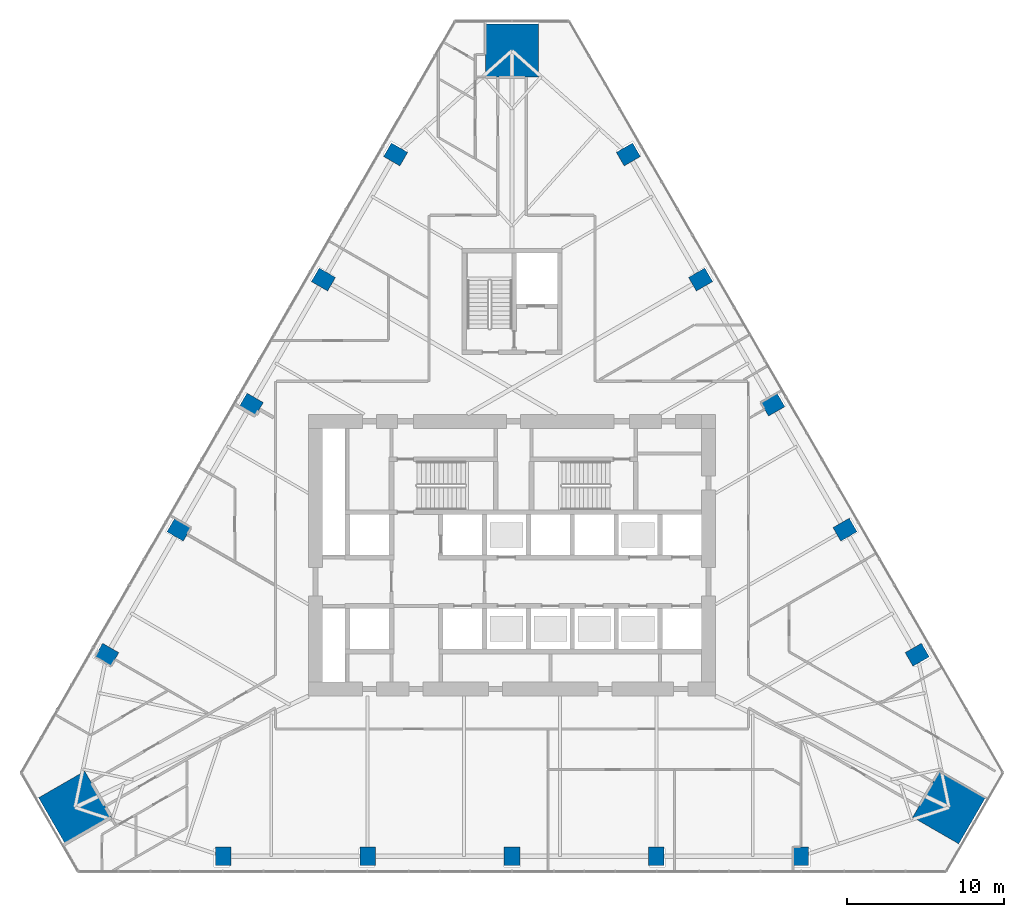
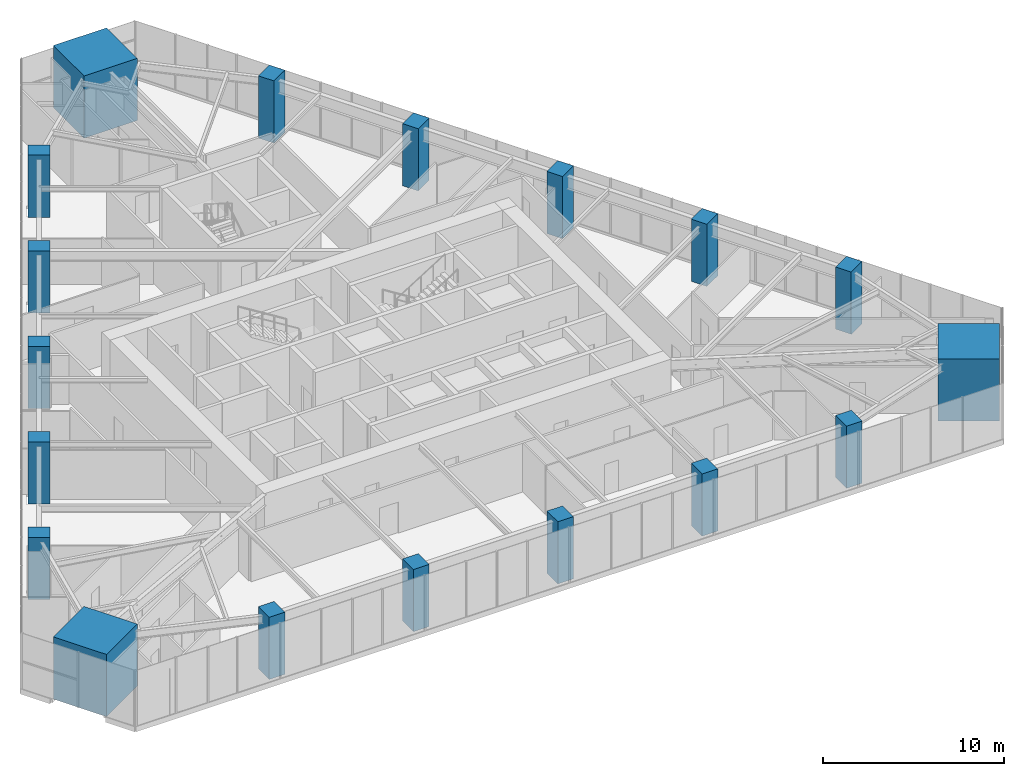
# One storey, part 1 of 19: 18 columns.
"""IFC4 building model written with IfcOpenShell, lengths in metres."""

from ifc_helpers import new_model, si_unit, direction, frame, origin, origin_2d, place, context, subcontext, project, spatial, rectangle, extrude, material, material_profile, profile_set, type_object, element, save


model = new_model("IFC4")

# Units and contexts
model_context = context("Model", 3, precision=1e-05, world=origin(), true_north=direction((0.0, 1.0)))
body_context = subcontext(model_context, "Body", "Model", "MODEL_VIEW")
ifc_project = project(units=[si_unit("LENGTHUNIT", "METRE"), si_unit("AREAUNIT", "SQUARE_METRE"), si_unit("VOLUMEUNIT", "CUBIC_METRE"), si_unit("PLANEANGLEUNIT", "RADIAN"), si_unit("MASSUNIT", "GRAM", prefix="KILO")], contexts=[model_context])

# Site, building, storey
site_placement = place(None, origin())
site = spatial("IfcSite", under=ifc_project, at=site_placement, CompositionType="ELEMENT")
building_placement = place(site_placement, origin())
building = spatial("IfcBuilding", under=site, at=building_placement, Name="Firuza Gate Tower and Library", CompositionType="ELEMENT")
storey_placement = place(building_placement, frame((0.0, 0.0, 136.60009765625)))
storey = spatial("IfcBuildingStorey", under=building, at=storey_placement, Name="L31", CompositionType="ELEMENT", Elevation=136.60009765625)

# Columns
ifc_material_1 = material(Name="Concrete C80/95", Category="concrete")
ifc_material_profile_1 = material_profile(ifc_material_1, rectangle(XDim=3.39990234375, YDim=3.39990234375, at=origin_2d()))
ifc_profile_set_1 = profile_set([ifc_material_profile_1], Name="Concrete C80/95")
column_type_1 = type_object("IfcColumnType", Name="Mega column 3400x3400 C80/95", PredefinedType="COLUMN", material=ifc_profile_set_1)
for number, where, z_axis, x_axis, name in (
    (1, (102.91064453125, 58.8857421875, 0.0), (0.0, 0.0, 1.0), (0.5, 0.866025403784, 0.0), "Mega column SE L31"),
    (2, (75.0, 107.228271484375, 0.0), (0.0, 0.0, 1.0), (-1.0, 0.0, 0.0), "Mega column N L31"),
    (3, (47.08935546875, 58.8857421875, 0.0), (0.0, 0.0, 1.0), (0.5, -0.866025403784, 0.0), "Mega column SW L31"),
):
    element("IfcColumn", number, at=place(storey_placement, frame(where, z_axis=z_axis, x_axis=x_axis)), inside=storey, type_object=column_type_1, Name=name, PredefinedType="COLUMN", context=body_context, shape_type="SweptSolid", body=[
        extrude(rectangle(XDim=3.39990234375, YDim=3.39990234375, at=origin_2d()), origin(), (0.0, 0.0, 1.0), 4.199951171875),
    ])
ifc_material_2 = material(Name="Concrete C60/75", Category="concrete")
ifc_material_profile_2 = material_profile(ifc_material_2, rectangle(XDim=1.0, YDim=1.199951171875, at=origin_2d()))
ifc_profile_set_2 = profile_set([ifc_material_profile_2], Name="Concrete C60/75")
column_type_2 = type_object("IfcColumnType", Name="Perimeter column 1000x1200 C60/75", PredefinedType="COLUMN", material=ifc_profile_set_2)
for number, where, z_axis, x_axis, name in (
    (4, (56.5537109375, 55.76806640625, -0.00048828125), (0.0, 0.0, 1.0), (1.0, 0.0, 0.0), "Column S1 L31"),
    (5, (65.77685546875, 55.76806640625, -0.00048828125), (0.0, 0.0, 1.0), (1.0, 0.0, 0.0), "Column S2 L31"),
    (6, (75.0, 55.76806640625, -0.00048828125), (0.0, 0.0, 1.0), (1.0, 0.0, 0.0), "Column S3 L31"),
    (7, (84.22314453125, 55.76806640625, -0.00048828125), (0.0, 0.0, 1.0), (1.0, 0.0, 0.0), "Column S4 L31"),
    (8, (93.4462890625, 55.76806640625, -0.00048828125), (0.0, 0.0, 1.0), (1.0, 0.0, 0.0), "Column S5 L31"),
    (9, (100.87841796875, 68.64111328125, -0.00048828125), (0.0, 0.0, 1.0), (-0.5, 0.866025403784, 0.0), "Column E1 L31"),
    (10, (96.266845703125, 76.62841796875, -0.00048828125), (0.0, 0.0, 1.0), (-0.5, 0.866025403784, 0.0), "Column E2 L31"),
    (11, (91.6552734375, 84.615966796875, -0.00048828125), (0.0, 0.0, 1.0), (-0.5, 0.866025403784, 0.0), "Column E3 L31"),
    (12, (87.043701171875, 92.603271484375, -0.00048828125), (0.0, 0.0, 1.0), (-0.5, 0.866025403784, 0.0), "Column E4 L31"),
    (13, (82.43212890625, 100.5908203125, -0.00048828125), (0.0, 0.0, 1.0), (-0.5, 0.866025403784, 0.0), "Column E5 L31"),
    (14, (67.56787109375, 100.5908203125, -0.00048828125), (0.0, 0.0, 1.0), (-0.5, -0.866025403784, 0.0), "Column W1 L31"),
    (15, (62.956298828125, 92.603271484375, -0.00048828125), (0.0, 0.0, 1.0), (-0.5, -0.866025403784, 0.0), "Column W2 L31"),
    (16, (58.3447265625, 84.615966796875, -0.00048828125), (0.0, 0.0, 1.0), (-0.5, -0.866025403784, 0.0), "Column W3 L31"),
    (17, (53.733154296875, 76.62841796875, -0.00048828125), (0.0, 0.0, 1.0), (-0.5, -0.866025403784, 0.0), "Column W4 L31"),
    (18, (49.12158203125, 68.64111328125, -0.00048828125), (0.0, 0.0, 1.0), (-0.5, -0.866025403784, 0.0), "Column W5 L31"),
):
    element("IfcColumn", number, at=place(storey_placement, frame(where, z_axis=z_axis, x_axis=x_axis)), inside=storey, type_object=column_type_2, Name=name, PredefinedType="COLUMN", context=body_context, shape_type="SweptSolid", body=[
        extrude(rectangle(XDim=1.0, YDim=1.199951171875, at=origin_2d()), origin(), (0.0, 0.0, 1.0), 4.200439453125),
    ])

save(model, "model.ifc")
